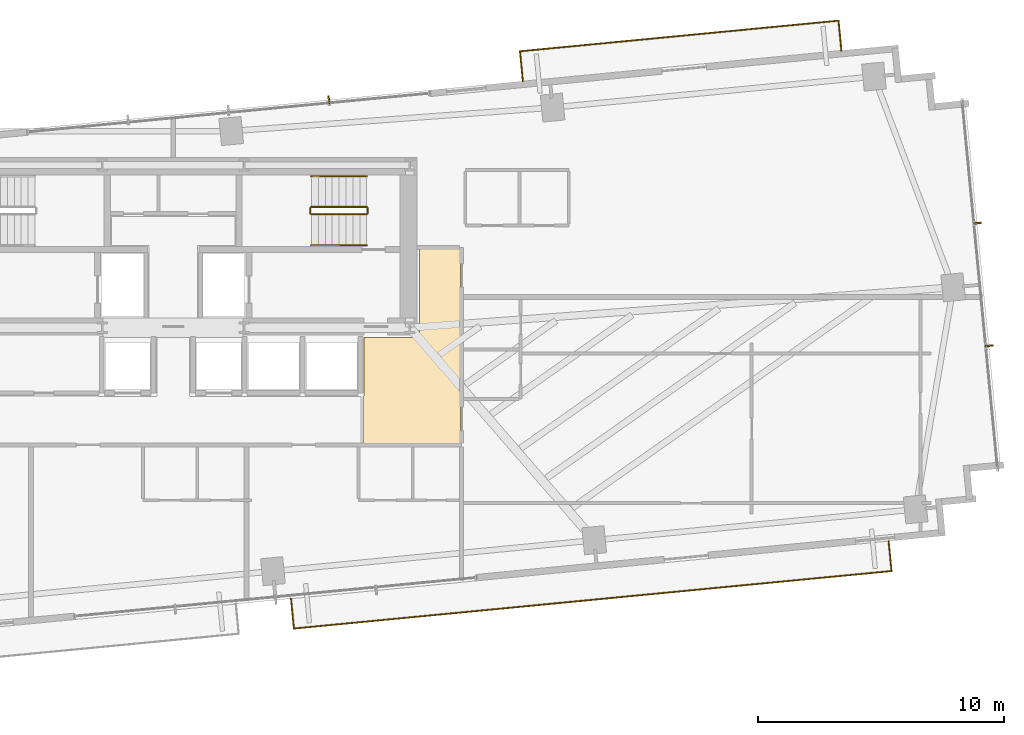
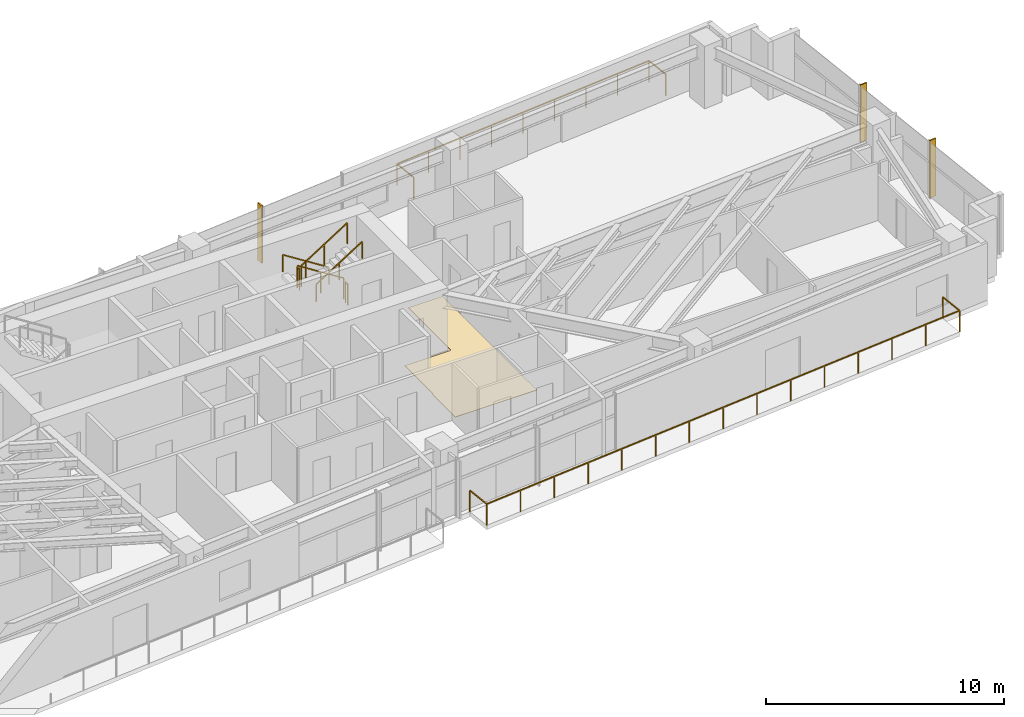
# One storey, part 27 of 27: 8 railings, 3 shading devices, 1 covering.
"""IFC4 building model written with IfcOpenShell, lengths in metres."""

import ifcopenshell
import ifcopenshell.guid

model = None  # the IFC model being written
_history = None  # IfcOwnerHistory: only IFC2X3 demands one
_inside = {}  # id of a spatial element -> (the spatial element, [elements in it])
_under = {}  # id of a project, library or spatial element -> (it, [spatial elements below it])
_declared = {}  # id of a project -> (the project, [libraries it declares])
_typed = {}  # id of a type object -> (the type object, [elements of that type])
_made_of = {}  # id of a material, layer set ... -> (it, [elements and type objects made of it])


def new_model(schema):
    """Start an empty IFC model of exactly this schema.

    Asked for "IFC4X3", IfcOpenShell would pick the latest addendum, in which some entities
    have other attributes; the version numbers below select the first issue.
    IFC2X3 requires an IfcOwnerHistory on every rooted entity: one is made here for all.
    """
    global model, _history
    if schema == "IFC4X3":
        model = ifcopenshell.file(schema_version=(4, 3, 0, 0))
    else:
        model = ifcopenshell.file(schema=schema)
    _inside.clear()
    _under.clear()
    _declared.clear()
    _typed.clear()
    _made_of.clear()
    _history = None
    if model.schema == "IFC2X3":
        org = make("IfcOrganization", Name="unknown")
        user = make(
            "IfcPersonAndOrganization",
            ThePerson=make("IfcPerson", FamilyName="unknown"),
            TheOrganization=org,
        )
        app = make(
            "IfcApplication",
            ApplicationDeveloper=org,
            Version="unknown",
            ApplicationFullName="unknown",
            ApplicationIdentifier="unknown",
        )
        _history = make(
            "IfcOwnerHistory",
            OwningUser=user,
            OwningApplication=app,
            ChangeAction="ADDED",
            CreationDate=0,
        )
    return model


def make(cls, **values):
    """One entity of the class cls with the attributes given. An attribute that is None is left unset."""
    return model.create_entity(
        cls, **{name: value for name, value in values.items() if value is not None}
    )


def rooted(cls, **values):
    """An entity with a GlobalId (a new one), such as an element, a storey or a relation."""
    return make(cls, GlobalId=ifcopenshell.guid.new(), OwnerHistory=_history, **values)


def si_unit(unit_type, name, prefix=None):
    """IfcSIUnit, for example si_unit("LENGTHUNIT", "METRE", prefix="MILLI")."""
    return make("IfcSIUnit", UnitType=unit_type, Prefix=prefix, Name=name)


def assignment(units):
    """IfcUnitAssignment: the units of a project."""
    return None if units is None else make("IfcUnitAssignment", Units=units)


def point(xyz):
    """IfcCartesianPoint."""
    return None if xyz is None else make("IfcCartesianPoint", Coordinates=xyz)


def direction(xyz):
    """IfcDirection."""
    return None if xyz is None else make("IfcDirection", DirectionRatios=xyz)


def frame(location, z_axis=None, x_axis=None):
    """IfcAxis2Placement3D, a coordinate frame: its origin and axes. An axis left out is left unset."""
    return make(
        "IfcAxis2Placement3D",
        Location=point(location),
        Axis=direction(z_axis),
        RefDirection=direction(x_axis),
    )


def frame_2d(location, x_axis=None):
    """IfcAxis2Placement2D, a coordinate frame in the plane: its origin and x axis."""
    return make(
        "IfcAxis2Placement2D", Location=point(location), RefDirection=direction(x_axis)
    )


def origin():
    """The frame at (0, 0, 0) with its axes left unset."""
    return frame((0.0, 0.0, 0.0))


def origin_2d():
    """The frame at (0, 0) in the plane with its x axis left unset."""
    return frame_2d((0.0, 0.0))


def place(relative_to, where):
    """IfcLocalPlacement: puts the frame where relative to a parent placement (None: the world)."""
    return make(
        "IfcLocalPlacement", PlacementRelTo=relative_to, RelativePlacement=where
    )


def context(
    kind, dimensions, precision=None, world=None, true_north=None, identifier=None
):
    """IfcGeometricRepresentationContext, for example the 3D "Model" context."""
    return make(
        "IfcGeometricRepresentationContext",
        ContextIdentifier=identifier,
        ContextType=kind,
        CoordinateSpaceDimension=dimensions,
        Precision=precision,
        WorldCoordinateSystem=world,
        TrueNorth=true_north,
    )


def subcontext(parent, identifier, kind, view, scale=None):
    """IfcGeometricRepresentationSubContext, for example "Body" below "Model"."""
    return make(
        "IfcGeometricRepresentationSubContext",
        ContextIdentifier=identifier,
        ContextType=kind,
        ParentContext=parent,
        TargetScale=scale,
        TargetView=view,
    )


def project(units=None, contexts=None):
    """IfcProject with its units and contexts."""
    return rooted(
        "IfcProject",
        Name="project",
        RepresentationContexts=contexts,
        UnitsInContext=assignment(units),
    )


def spatial(cls, under=None, at=None, **own):
    """A site, building, storey or space (cls), placed at a placement, below another one or the project."""
    s = rooted(cls, ObjectPlacement=at, **own)
    if under is not None:
        _under.setdefault(under.id(), (under, []))[1].append(s)
    return s


def polyline(points):
    """IfcPolyline through the points."""
    return make("IfcPolyline", Points=[point(p) for p in points])


def profile(cls, at=None, kind="AREA", **sizes):
    """A parametric profile (cls). Its sizes go by their IFC names, for example OverallWidth=200.0."""
    return make(cls, ProfileType=kind, Position=at, **sizes)


def rectangle(**sizes):
    """IfcRectangleProfileDef."""
    return profile("IfcRectangleProfileDef", **sizes)


def outline(outer, holes=None, kind="AREA"):
    """IfcArbitraryClosedProfileDef: a profile drawn as a closed curve; with holes, ...WithVoids."""
    if holes is None:
        return make("IfcArbitraryClosedProfileDef", ProfileType=kind, OuterCurve=outer)
    return make(
        "IfcArbitraryProfileDefWithVoids",
        ProfileType=kind,
        OuterCurve=outer,
        InnerCurves=holes,
    )


def extrude(swept, where, along, depth):
    """IfcExtrudedAreaSolid: the profile swept, set in the frame where, extruded along a direction by depth."""
    return make(
        "IfcExtrudedAreaSolid",
        SweptArea=swept,
        Position=where,
        ExtrudedDirection=direction(along),
        Depth=depth,
    )


def shape(context_of_items, identifier, shape_type, items):
    """IfcShapeRepresentation: the items that make up one representation, for example the "Body"."""
    return make(
        "IfcShapeRepresentation",
        ContextOfItems=context_of_items,
        RepresentationIdentifier=identifier,
        RepresentationType=shape_type,
        Items=items,
    )


def source(mapping_origin, context_of_items, identifier, shape_type, items):
    """IfcRepresentationMap: a shape defined once, which mapped items show again and again."""
    return make(
        "IfcRepresentationMap",
        MappingOrigin=mapping_origin,
        MappedRepresentation=shape(context_of_items, identifier, shape_type, items),
    )


def transform(
    local_origin,
    x_axis=None,
    y_axis=None,
    z_axis=None,
    scale=None,
    scale2=None,
    scale3=None,
    uniform=True,
):
    """IfcCartesianTransformationOperator3D, or its non-uniform kind. x_axis, y_axis, z_axis: its Axis1, 2, 3."""
    if uniform:
        return make(
            "IfcCartesianTransformationOperator3D",
            Axis1=direction(x_axis),
            Axis2=direction(y_axis),
            LocalOrigin=point(local_origin),
            Scale=scale,
            Axis3=direction(z_axis),
        )
    return make(
        "IfcCartesianTransformationOperator3DnonUniform",
        Axis1=direction(x_axis),
        Axis2=direction(y_axis),
        LocalOrigin=point(local_origin),
        Scale=scale,
        Axis3=direction(z_axis),
        Scale2=scale2,
        Scale3=scale3,
    )


def mapped(mapping_source, mapping_target):
    """IfcMappedItem: shows the shape of a source again, moved by a transform."""
    return make(
        "IfcMappedItem", MappingSource=mapping_source, MappingTarget=mapping_target
    )


def material(Name=None, Category=None):
    """IfcMaterial."""
    return make("IfcMaterial", Name=Name, Category=Category)


def layer(
    of_material, thickness, ventilated=None, Name=None, Category=None, Priority=None
):
    """IfcMaterialLayer: one layer of a wall or slab, of a material (None: an air gap)."""
    return make(
        "IfcMaterialLayer",
        Material=of_material,
        LayerThickness=thickness,
        IsVentilated=ventilated,
        Name=Name,
        Category=Category,
        Priority=Priority,
    )


def layer_set(layers, Name=None):
    """IfcMaterialLayerSet."""
    return make("IfcMaterialLayerSet", MaterialLayers=layers, LayerSetName=Name)


def made_of(thing, what):
    """Note that an element or type object is made of a material, layer set ...; save() writes the relation."""
    if what is not None:
        _made_of.setdefault(what.id(), (what, []))[1].append(thing)
    return thing


def type_object(cls, material=None, **own):
    """A type object (cls), such as IfcWallType, which elements share."""
    return made_of(rooted(cls, **own), material)


def type_shapes(of_type, sources):
    """Give a type object the sources (RepresentationMaps) that its elements show as mapped items."""
    of_type.RepresentationMaps = sources


def element(
    cls,
    number,
    at=None,
    inside=None,
    cuts=None,
    type_object=None,
    material=None,
    context=None,
    identifier="Body",
    shape_type=None,
    held_by="IfcProductDefinitionShape",
    body=None,
    shapes=None,
    **own,
):
    """One element of the class cls, such as IfcWall. Its Tag is "e" and its number.

    at: its placement. inside: the storey or other place that contains it. cuts: it is an
    opening in that element (IfcRelVoidsElement). A single representation is given by context,
    identifier, shape_type and body (its items); several are given by shapes. held_by: the class
    of the entity that holds the representations. save() writes the other relations.
    """
    e = rooted(cls, Tag="e%d" % number, ObjectPlacement=at, **own)
    if body is not None:
        shapes = [shape(context, identifier, shape_type, body)]
    if shapes is not None:
        e.Representation = make(held_by, Representations=shapes)
    if inside is not None:
        _inside.setdefault(inside.id(), (inside, []))[1].append(e)
    if cuts is not None:
        rooted(
            "IfcRelVoidsElement", RelatingBuildingElement=cuts, RelatedOpeningElement=e
        )
    if type_object is not None:
        _typed.setdefault(type_object.id(), (type_object, []))[1].append(e)
    return made_of(e, material)


def aggregate(whole, parts):
    """IfcRelAggregates: a whole, such as a stair, and the parts it consists of."""
    return rooted("IfcRelAggregates", RelatingObject=whole, RelatedObjects=parts)


def save(model, path):
    """Write the relations noted so far, then the file.

    IfcRelAggregates (storeys below a building ...), IfcRelContainedInSpatialStructure (elements
    in a storey), IfcRelDefinesByType, IfcRelAssociatesMaterial and IfcRelDeclares: one each for
    every whole, place, type object, material and project.
    """
    for whole, parts in _under.values():
        aggregate(whole, parts)
    for where, things in _inside.values():
        rooted(
            "IfcRelContainedInSpatialStructure",
            RelatedElements=things,
            RelatingStructure=where,
        )
    for kind, things in _typed.values():
        rooted("IfcRelDefinesByType", RelatedObjects=things, RelatingType=kind)
    for what, things in _made_of.values():
        rooted("IfcRelAssociatesMaterial", RelatedObjects=things, RelatingMaterial=what)
    for by, libraries in _declared.values():
        rooted("IfcRelDeclares", RelatingContext=by, RelatedDefinitions=libraries)
    model.write(path)


model = new_model("IFC4")

# Units and contexts
model_context = context("Model", 3, precision=1e-05, world=origin(), true_north=direction((0.0, 1.0)))
body_context = subcontext(model_context, "Body", "Model", "MODEL_VIEW")
ifc_project = project(units=[si_unit("LENGTHUNIT", "METRE"), si_unit("AREAUNIT", "SQUARE_METRE"), si_unit("VOLUMEUNIT", "CUBIC_METRE"), si_unit("PLANEANGLEUNIT", "RADIAN"), si_unit("MASSUNIT", "GRAM", prefix="KILO")], contexts=[model_context])

# Site, building, storey
site_placement = place(None, origin())
site = spatial("IfcSite", under=ifc_project, at=site_placement, CompositionType="ELEMENT")
building_placement = place(site_placement, origin())
building = spatial("IfcBuilding", under=site, at=building_placement, Name="Astriad Promenade Condominiums", CompositionType="ELEMENT")
storey_placement = place(building_placement, frame((0.0, 0.0, 113.0)))
storey = spatial("IfcBuildingStorey", under=building, at=storey_placement, Name="L32", CompositionType="ELEMENT", Elevation=113.0)

# Covering
ifc_material_1 = material(Name="Polished Lakefront Terrazzo Flooring")
ifc_layer = layer(ifc_material_1, 0.02001953125)
ifc_layer_set = layer_set([ifc_layer], Name="Polished Lakefront Terrazzo Flooring")
covering_type = type_object("IfcCoveringType", Name="COV-FLOR-TERRAZZO-20", PredefinedType="FLOORING", material=ifc_layer_set)
covering_placement = place(storey_placement, origin())
element("IfcCovering", 1, at=covering_placement, inside=storey, type_object=covering_type, Name="FLR-L32-COR-1", PredefinedType="FLOORING", context=body_context, shape_type="SweptSolid", body=[
    extrude(outline(polyline([(43.699951171875, 12.68994140625), (43.699951171875, 14.610107421875), (43.703857421875, 14.610107421875), (43.707763671875, 14.61083984375), (43.711669921875, 14.61181640625), (43.71533203125, 14.613037109375), (43.718994140625, 14.61474609375), (43.72216796875, 14.61669921875), (43.725341796875, 14.619140625), (43.728271484375, 14.62158203125), (43.73095703125, 14.62451171875), (43.7333984375, 14.627685546875), (43.7353515625, 14.631103515625), (43.737060546875, 14.634765625), (43.73828125, 14.638427734375), (43.7392578125, 14.64208984375), (43.73974609375, 14.64599609375), (43.739990234375, 14.64990234375), (43.739990234375, 17.010009765625), (45.949951171875, 17.010009765625), (45.953857421875, 17.01025390625), (45.957763671875, 17.0107421875), (45.961669921875, 17.01171875), (45.96533203125, 17.012939453125), (45.968994140625, 17.0146484375), (45.97216796875, 17.0166015625), (45.975341796875, 17.01904296875), (45.978271484375, 17.021728515625), (45.98095703125, 17.024658203125), (45.9833984375, 17.02783203125), (45.9853515625, 17.031005859375), (45.987060546875, 17.03466796875), (45.98828125, 17.038330078125), (45.9892578125, 17.042236328125), (45.98974609375, 17.046142578125), (45.989990234375, 17.050048828125), (45.989990234375, 20.610107421875), (47.659912109375, 20.610107421875), (47.659912109375, 12.68994140625), (43.699951171875, 12.68994140625)])), origin(), (0.0, 0.0, 1.0), 0.02001953125),
])

# Shading devices
ifc_material_2 = material(Name="Anodised aluminium 6063-T6 Black Fin", Category="aluminium")
shading_device_type = type_object("IfcShadingDeviceType", Name="FIN-BLACK-320", PredefinedType="USERDEFINED", material=ifc_material_2)
shared_shape_1 = source(origin(), body_context, "Body", "SweptSolid", [
    extrude(rectangle(XDim=0.06494140625, YDim=0.320068359375, at=origin_2d()), origin(), (0.0, 0.0, 1.0), 2.93994140625),
])
type_shapes(shading_device_type, [shared_shape_1])
for number, where, z_axis, x_axis, name in (
    (2, (42.31689453125, 26.656494140625, 0.0), (0.0, 0.0, 1.0), (0.995396198367, 0.09584575252, 0.0), "CW-L32-N-FIN-03"),
    (3, (68.63330078125, 21.6455078125, 0.0), (0.0, 0.0, 1.0), (0.09584575252, -0.995396198367, 0.0), "CW-L32-E-FIN-01"),
    (4, (69.1123046875, 16.668701171875, 0.0), (0.0, 0.0, 1.0), (0.09584575252, -0.995396198367, 0.0), "CW-L32-E-FIN-02"),
):
    element("IfcShadingDevice", number, at=place(storey_placement, frame(where, z_axis=z_axis, x_axis=x_axis)), inside=storey, type_object=shading_device_type, Name=name, ObjectType="FIN", PredefinedType="USERDEFINED", context=body_context, shape_type="MappedRepresentation", body=[
        mapped(shared_shape_1, transform((0.0, 0.0, 0.0), scale=1.0)),
    ])

# Railings
ifc_material_3 = material(Name="Laminated Glass and Stainless Steel Balustrade", Category="steel")
railing_type_1 = type_object("IfcRailingType", Name="GRD-BALC-1120", PredefinedType="BALUSTRADE", material=ifc_material_3)
shared_shape_2 = source(origin(), body_context, "Body", "SweptSolid", [
    extrude(rectangle(XDim=0.048095703125, YDim=0.048095703125, at=origin_2d()), frame((0.0, 0.0, 1.09619140625), z_axis=(0.095857307208, -0.99539508571, 0.0), x_axis=(0.99539508571, 0.095857307208, 0.0)), (0.0, 0.0, 1.0), 1.219970703125),
    extrude(rectangle(XDim=0.048095703125, YDim=0.048095703125, at=origin_2d()), frame((0.116943359375, -1.21435546875, 1.09619140625), z_axis=(0.995396904963, 0.095838413955, 0.0), x_axis=(-0.095838413955, 0.995396904963, 0.0)), (0.0, 0.0, 1.0), 24.365966796875),
    extrude(rectangle(XDim=0.048095703125, YDim=0.048095703125, at=origin_2d()), frame((24.370849609375, 1.120849609375, 1.09619140625), z_axis=(-0.0958382164, 0.995396923984, 0.0), x_axis=(-0.995396923984, -0.0958382164, 0.0)), (0.0, 0.0, 1.0), 1.22021484375),
    extrude(rectangle(XDim=0.0419921875, YDim=0.0419921875, at=origin_2d()), origin(), (0.0, 0.0, 1.0), 1.072021484375),
    extrude(rectangle(XDim=0.0419921875, YDim=0.0419921875, at=origin_2d()), frame((0.116943359375, -1.21435546875, 0.0)), (0.0, 0.0, 1.0), 1.072021484375),
    extrude(rectangle(XDim=0.0419921875, YDim=0.0419921875, at=origin_2d()), frame((1.849365234375, -1.047607421875, 0.0)), (0.0, 0.0, 1.0), 1.072021484375),
    extrude(rectangle(XDim=0.0419921875, YDim=0.0419921875, at=origin_2d()), frame((3.581787109375, -0.880859375, 0.0)), (0.0, 0.0, 1.0), 1.072021484375),
    extrude(rectangle(XDim=0.0419921875, YDim=0.0419921875, at=origin_2d()), frame((5.314208984375, -0.7138671875, 0.0)), (0.0, 0.0, 1.0), 1.072021484375),
    extrude(rectangle(XDim=0.0419921875, YDim=0.0419921875, at=origin_2d()), frame((7.046630859375, -0.547119140625, 0.0)), (0.0, 0.0, 1.0), 1.072021484375),
    extrude(rectangle(XDim=0.0419921875, YDim=0.0419921875, at=origin_2d()), frame((8.779052734375, -0.38037109375, 0.0)), (0.0, 0.0, 1.0), 1.072021484375),
    extrude(rectangle(XDim=0.0419921875, YDim=0.0419921875, at=origin_2d()), frame((10.511474609375, -0.213623046875, 0.0)), (0.0, 0.0, 1.0), 1.072021484375),
    extrude(rectangle(XDim=0.0419921875, YDim=0.0419921875, at=origin_2d()), frame((12.243896484375, -0.046875, 0.0)), (0.0, 0.0, 1.0), 1.072021484375),
    extrude(rectangle(XDim=0.0419921875, YDim=0.0419921875, at=origin_2d()), frame((13.976318359375, 0.1201171875, 0.0)), (0.0, 0.0, 1.0), 1.072021484375),
    extrude(rectangle(XDim=0.0419921875, YDim=0.0419921875, at=origin_2d()), frame((15.708740234375, 0.286865234375, 0.0)), (0.0, 0.0, 1.0), 1.072021484375),
    extrude(rectangle(XDim=0.0419921875, YDim=0.0419921875, at=origin_2d()), frame((17.441162109375, 0.45361328125, 0.0)), (0.0, 0.0, 1.0), 1.072021484375),
    extrude(rectangle(XDim=0.0419921875, YDim=0.0419921875, at=origin_2d()), frame((19.173583984375, 0.620361328125, 0.0)), (0.0, 0.0, 1.0), 1.072021484375),
    extrude(rectangle(XDim=0.0419921875, YDim=0.0419921875, at=origin_2d()), frame((20.906005859375, 0.787353515625, 0.0)), (0.0, 0.0, 1.0), 1.072021484375),
    extrude(rectangle(XDim=0.0419921875, YDim=0.0419921875, at=origin_2d()), frame((22.638427734375, 0.9541015625, 0.0)), (0.0, 0.0, 1.0), 1.072021484375),
    extrude(rectangle(XDim=0.0419921875, YDim=0.0419921875, at=origin_2d()), frame((24.370849609375, 1.120849609375, 0.0)), (0.0, 0.0, 1.0), 1.072021484375),
    extrude(rectangle(XDim=0.0419921875, YDim=0.0419921875, at=origin_2d()), frame((24.25390625, 2.33544921875, 0.0)), (0.0, 0.0, 1.0), 1.072021484375),
])
railing_1_placement = place(storey_placement, frame((40.778564453125, 6.40576171875, 0.0)))
element("IfcRailing", 5, at=railing_1_placement, inside=storey, type_object=railing_type_1, Name="GRD-BALC-L32-SE", PredefinedType="BALUSTRADE", context=body_context, shape_type="MappedRepresentation", body=[
    mapped(shared_shape_2, transform((0.0, 0.0, 0.0), scale=1.0)),
])
shared_shape_3 = source(origin(), body_context, "Body", "SweptSolid", [
    extrude(rectangle(XDim=0.048095703125, YDim=0.048095703125, at=origin_2d()), frame((0.0, 0.0, 1.09619140625), z_axis=(-0.095876405589, 0.995393246336, 0.0), x_axis=(-0.995393246336, -0.095876405589, 0.0)), (0.0, 0.0, 1.0), 1.2197265625),
    extrude(rectangle(XDim=0.048095703125, YDim=0.048095703125, at=origin_2d()), frame((-0.116943359375, 1.214111328125, 1.09619140625), z_axis=(-0.995396692233, -0.095840623394, 0.0), x_axis=(0.095840623394, -0.995396692233, 0.0)), (0.0, 0.0, 1.0), 12.989013671875),
    extrude(rectangle(XDim=0.048095703125, YDim=0.048095703125, at=origin_2d()), frame((-13.046142578125, -0.03076171875, 1.09619140625), z_axis=(0.095857307208, -0.99539508571, 0.0), x_axis=(0.99539508571, 0.095857307208, 0.0)), (0.0, 0.0, 1.0), 1.219970703125),
    extrude(rectangle(XDim=0.0419921875, YDim=0.0419921875, at=origin_2d()), origin(), (0.0, 0.0, 1.0), 1.072021484375),
    extrude(rectangle(XDim=0.0419921875, YDim=0.0419921875, at=origin_2d()), frame((-0.116943359375, 1.214111328125, 0.0)), (0.0, 0.0, 1.0), 1.072021484375),
    extrude(rectangle(XDim=0.0419921875, YDim=0.0419921875, at=origin_2d()), frame((-1.733154296875, 1.05859375, 0.0)), (0.0, 0.0, 1.0), 1.072021484375),
    extrude(rectangle(XDim=0.0419921875, YDim=0.0419921875, at=origin_2d()), frame((-3.34912109375, 0.90283203125, 0.0)), (0.0, 0.0, 1.0), 1.072021484375),
    extrude(rectangle(XDim=0.0419921875, YDim=0.0419921875, at=origin_2d()), frame((-4.96533203125, 0.747314453125, 0.0)), (0.0, 0.0, 1.0), 1.072021484375),
    extrude(rectangle(XDim=0.0419921875, YDim=0.0419921875, at=origin_2d()), frame((-6.58154296875, 0.591796875, 0.0)), (0.0, 0.0, 1.0), 1.072021484375),
    extrude(rectangle(XDim=0.0419921875, YDim=0.0419921875, at=origin_2d()), frame((-8.19775390625, 0.43603515625, 0.0)), (0.0, 0.0, 1.0), 1.072021484375),
    extrude(rectangle(XDim=0.0419921875, YDim=0.0419921875, at=origin_2d()), frame((-9.81396484375, 0.280517578125, 0.0)), (0.0, 0.0, 1.0), 1.072021484375),
    extrude(rectangle(XDim=0.0419921875, YDim=0.0419921875, at=origin_2d()), frame((-11.429931640625, 0.124755859375, 0.0)), (0.0, 0.0, 1.0), 1.072021484375),
    extrude(rectangle(XDim=0.0419921875, YDim=0.0419921875, at=origin_2d()), frame((-13.046142578125, -0.03076171875, 0.0)), (0.0, 0.0, 1.0), 1.072021484375),
    extrude(rectangle(XDim=0.0419921875, YDim=0.0419921875, at=origin_2d()), frame((-12.92919921875, -1.2451171875, 0.0)), (0.0, 0.0, 1.0), 1.072021484375),
])
type_shapes(railing_type_1, [shared_shape_2, shared_shape_3])
railing_2_placement = place(storey_placement, frame((63.115478515625, 28.649169921875, 0.0)))
element("IfcRailing", 6, at=railing_2_placement, inside=storey, type_object=railing_type_1, Name="GRD-BALC-L32-NE", PredefinedType="BALUSTRADE", context=body_context, shape_type="MappedRepresentation", body=[
    mapped(shared_shape_3, transform((0.0, 0.0, 0.0), scale=1.0)),
])
ifc_material_4 = material(Name="Painted Galvanised Steel Guardrail", Category="steel")
railing_type_2 = type_object("IfcRailingType", Name="GRD-STAIR-1100", PredefinedType="GUARDRAIL", material=ifc_material_4)
shared_shape_4 = source(origin(), body_context, "Body", "SweptSolid", [
    extrude(rectangle(XDim=0.048095703125, YDim=0.048095703125, at=origin_2d()), frame((0.0, 0.0, 1.076171875), z_axis=(0.8442293374, 0.0, 0.53598211339), x_axis=(0.0, 1.0, 0.0)), (0.0, 0.0, 1.0), 2.6533203125),
    extrude(rectangle(XDim=0.0419921875, YDim=0.0419921875, at=origin_2d()), origin(), (0.0, 0.0, 1.0), 1.052001953125),
    extrude(rectangle(XDim=0.0419921875, YDim=0.0419921875, at=origin_2d()), frame((1.1201171875, 0.0, 0.7109375)), (0.0, 0.0, 1.0), 1.052001953125),
    extrude(rectangle(XDim=0.0419921875, YDim=0.0419921875, at=origin_2d()), frame((2.239990234375, 0.0, 1.422119140625)), (0.0, 0.0, 1.0), 1.052001953125),
])
railing_3_placement = place(storey_placement, frame((41.610107421875, 22.0, 1.77783203125)))
element("IfcRailing", 7, at=railing_3_placement, inside=storey, type_object=railing_type_2, Name="L32 ST-2 stair guard 3", PredefinedType="GUARDRAIL", context=body_context, shape_type="MappedRepresentation", body=[
    mapped(shared_shape_4, transform((0.0, 0.0, 0.0), scale=1.0)),
])
shared_shape_5 = source(origin(), body_context, "Body", "SweptSolid", [
    extrude(rectangle(XDim=0.048095703125, YDim=0.048095703125, at=origin_2d()), frame((0.0, 0.0, 1.076171875), z_axis=(-0.84418770128, 0.0, 0.536047689118), x_axis=(0.0, -1.0, 0.0)), (0.0, 0.0, 1.0), 2.6533203125),
    extrude(rectangle(XDim=0.0419921875, YDim=0.0419921875, at=origin_2d()), origin(), (0.0, 0.0, 1.0), 1.052001953125),
    extrude(rectangle(XDim=0.0419921875, YDim=0.0419921875, at=origin_2d()), frame((-1.1201171875, 0.0, 0.711181640625)), (0.0, 0.0, 1.0), 1.052001953125),
    extrude(rectangle(XDim=0.0419921875, YDim=0.0419921875, at=origin_2d()), frame((-2.239990234375, 0.0, 1.42236328125)), (0.0, 0.0, 1.0), 1.052001953125),
])
railing_4_placement = place(storey_placement, frame((43.85009765625, 22.300048828125, 0.177734375)))
element("IfcRailing", 8, at=railing_4_placement, inside=storey, type_object=railing_type_2, Name="L32 ST-2 stair guard 1", PredefinedType="GUARDRAIL", context=body_context, shape_type="MappedRepresentation", body=[
    mapped(shared_shape_5, transform((0.0, 0.0, 0.0), scale=1.0)),
])
ifc_material_5 = material(Name="Brushed Stainless Steel Handrail", Category="steel")
railing_type_3 = type_object("IfcRailingType", Name="HRL-STAIR-920", PredefinedType="HANDRAIL", material=ifc_material_5)
shared_shape_6 = source(origin(), body_context, "Body", "SweptSolid", [
    extrude(rectangle(XDim=0.048095703125, YDim=0.048095703125, at=origin_2d()), frame((0.0, 0.0, 0.8759765625), z_axis=(0.8442293374, 0.0, 0.53598211339), x_axis=(0.0, 1.0, 0.0)), (0.0, 0.0, 1.0), 2.6533203125),
    extrude(rectangle(XDim=0.0419921875, YDim=0.0419921875, at=origin_2d()), origin(), (0.0, 0.0, 1.0), 0.851806640625),
    extrude(rectangle(XDim=0.0419921875, YDim=0.0419921875, at=origin_2d()), frame((1.1201171875, 0.0, 0.7109375)), (0.0, 0.0, 1.0), 0.851806640625),
    extrude(rectangle(XDim=0.0419921875, YDim=0.0419921875, at=origin_2d()), frame((2.239990234375, 0.0, 1.422119140625)), (0.0, 0.0, 1.0), 0.851806640625),
])
railing_5_placement = place(storey_placement, frame((41.610107421875, 20.75, 1.77783203125)))
element("IfcRailing", 9, at=railing_5_placement, inside=storey, type_object=railing_type_3, Name="L32 ST-2 stair handrail 2", PredefinedType="HANDRAIL", context=body_context, shape_type="MappedRepresentation", body=[
    mapped(shared_shape_6, transform((0.0, 0.0, 0.0), scale=1.0)),
])
shared_shape_7 = source(origin(), body_context, "Body", "SweptSolid", [
    extrude(rectangle(XDim=0.048095703125, YDim=0.048095703125, at=origin_2d()), frame((0.0, 0.0, 0.8759765625), z_axis=(-0.84418770128, 0.0, 0.536047689118), x_axis=(0.0, -1.0, 0.0)), (0.0, 0.0, 1.0), 2.6533203125),
    extrude(rectangle(XDim=0.0419921875, YDim=0.0419921875, at=origin_2d()), origin(), (0.0, 0.0, 1.0), 0.851806640625),
    extrude(rectangle(XDim=0.0419921875, YDim=0.0419921875, at=origin_2d()), frame((-1.1201171875, 0.0, 0.711181640625)), (0.0, 0.0, 1.0), 0.851806640625),
    extrude(rectangle(XDim=0.0419921875, YDim=0.0419921875, at=origin_2d()), frame((-2.239990234375, 0.0, 1.42236328125)), (0.0, 0.0, 1.0), 0.851806640625),
])
type_shapes(railing_type_3, [shared_shape_6, shared_shape_7])
railing_6_placement = place(storey_placement, frame((43.85009765625, 23.550048828125, 0.177734375)))
element("IfcRailing", 10, at=railing_6_placement, inside=storey, type_object=railing_type_3, Name="L32 ST-2 stair handrail 1", PredefinedType="HANDRAIL", context=body_context, shape_type="MappedRepresentation", body=[
    mapped(shared_shape_7, transform((0.0, 0.0, 0.0), scale=1.0)),
])
shared_shape_8 = source(origin(), body_context, "Body", "SweptSolid", [
    extrude(rectangle(XDim=0.048095703125, YDim=0.048095703125, at=origin_2d()), frame((0.0, 0.0, 1.076171875), z_axis=(0.0, -1.0, 0.0), x_axis=(1.0, 0.0, 0.0)), (0.0, 0.0, 1.0), 0.199951171875),
    extrude(rectangle(XDim=0.0419921875, YDim=0.0419921875, at=origin_2d()), origin(), (0.0, 0.0, 1.0), 1.052001953125),
    extrude(rectangle(XDim=0.0419921875, YDim=0.0419921875, at=origin_2d()), frame((0.0, -0.199951171875, 0.0)), (0.0, 0.0, 1.0), 1.052001953125),
])
type_shapes(railing_type_2, [shared_shape_4, shared_shape_5, shared_shape_8])
for number, where, name in (
    (11, (41.56005859375, 22.25, 1.60009765625), "L32 ST-2 stair guard 2"),
    (12, (43.89990234375, 22.25, 0.0), "L32 ST-2 stair guard 4"),
):
    element("IfcRailing", number, at=place(storey_placement, frame(where)), inside=storey, type_object=railing_type_2, Name=name, PredefinedType="GUARDRAIL", context=body_context, shape_type="MappedRepresentation", body=[
        mapped(shared_shape_8, transform((0.0, 0.0, 0.0), scale=1.0)),
    ])

save(model, "model.ifc")
